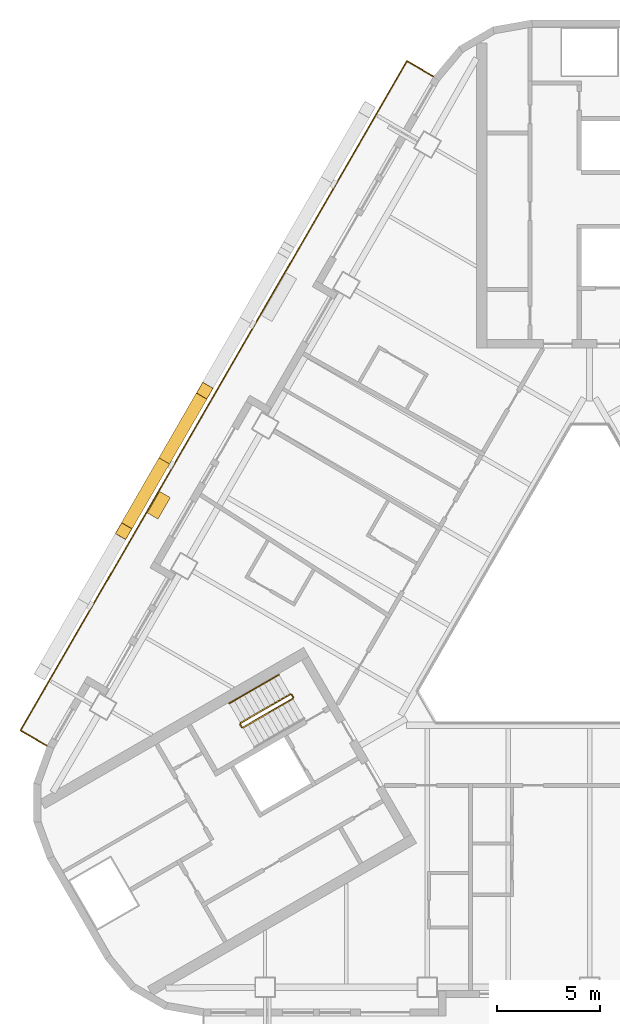
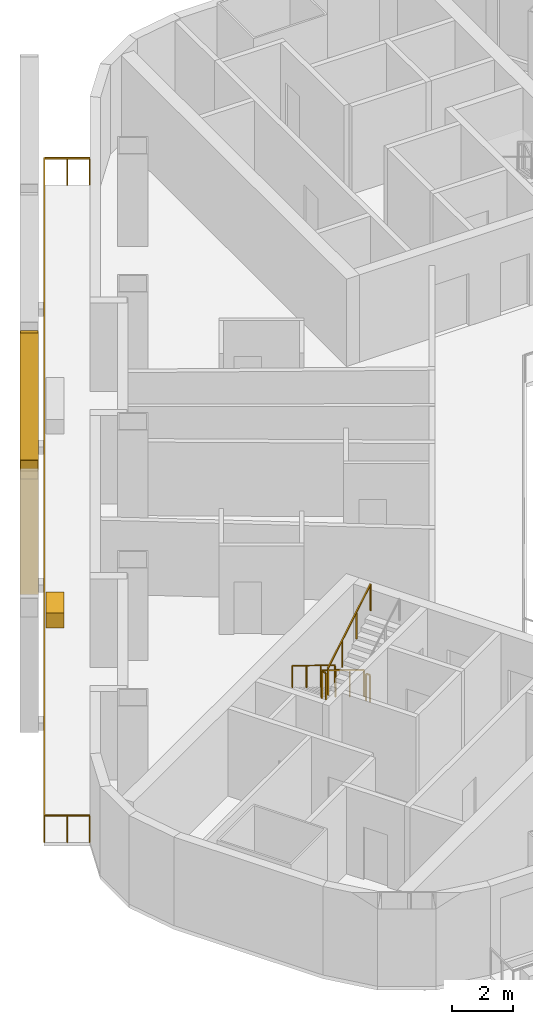
# One storey, part 10 of 14: 6 railings, 2 shading devices, 1 covering.
"""IFC4 building model written with IfcOpenShell, lengths in metres."""

from ifc_helpers import new_model, si_unit, direction, frame, origin, origin_2d, place, context, subcontext, project, spatial, rectangle, hollow_rectangle, circle, extrude, material, material_profile, profile_set, type_object, element, save


model = new_model("IFC4")

# Units and contexts
model_context = context("Model", 3, precision=1e-05, world=origin(), true_north=direction((0.0, 1.0)))
body_context = subcontext(model_context, "Body", "Model", "MODEL_VIEW")
ifc_project = project(units=[si_unit("LENGTHUNIT", "METRE"), si_unit("AREAUNIT", "SQUARE_METRE"), si_unit("VOLUMEUNIT", "CUBIC_METRE"), si_unit("PLANEANGLEUNIT", "RADIAN"), si_unit("MASSUNIT", "GRAM", prefix="KILO")], contexts=[model_context])

# Site, building, storey
site_placement = place(None, origin())
site = spatial("IfcSite", under=ifc_project, at=site_placement, CompositionType="ELEMENT")
building_placement = place(site_placement, origin())
building = spatial("IfcBuilding", under=site, at=building_placement, Name="Apuvela Tower Hotel", CompositionType="ELEMENT")
storey_placement = place(building_placement, frame((0.0, 0.0, 53.89990234375)))
storey = spatial("IfcBuildingStorey", under=building, at=storey_placement, Name="L10", CompositionType="ELEMENT", Elevation=53.89990234375)

# Railings
ifc_material_1 = material(Name="Steel S275 balustrade", Category="steel")
railing_type_1 = type_object("IfcRailingType", Name="COR-GUARD-1100", PredefinedType="GUARDRAIL", material=ifc_material_1)
railing_1_placement = place(storey_placement, frame((-14.569091796875, -3.9658203125, 0.168212890625)))
element("IfcRailing", 1, at=railing_1_placement, inside=storey, type_object=railing_type_1, Name="L10 ST2 stair guard 1", PredefinedType="GUARDRAIL", context=body_context, shape_type="SweptSolid", body=[
    extrude(rectangle(XDim=0.048095703125, YDim=0.048095703125, at=origin_2d()), frame((0.0, 0.0, 1.076171875), z_axis=(-0.742390482028, -0.42860119049, 0.514934356695), x_axis=(0.49998411664, -0.866034573852, 0.0)), (0.0, 0.0, 1.0), 3.26611328125),
    extrude(rectangle(XDim=0.0419921875, YDim=0.0419921875, at=origin_2d()), origin(), (0.0, 0.0, 1.0), 1.052001953125),
    extrude(rectangle(XDim=0.0419921875, YDim=0.0419921875, at=origin_2d()), frame((-0.808349609375, -0.466552734375, 0.560546875)), (0.0, 0.0, 1.0), 1.052001953125),
    extrude(rectangle(XDim=0.0419921875, YDim=0.0419921875, at=origin_2d()), frame((-1.616455078125, -0.933349609375, 1.121337890625)), (0.0, 0.0, 1.0), 1.052001953125),
    extrude(rectangle(XDim=0.0419921875, YDim=0.0419921875, at=origin_2d()), frame((-2.4248046875, -1.39990234375, 1.681884765625)), (0.0, 0.0, 1.0), 1.052001953125),
])
railing_2_placement = place(storey_placement, frame((-17.01220703125, -5.43408203125, 1.85009765625)))
element("IfcRailing", 2, at=railing_2_placement, inside=storey, type_object=railing_type_1, Name="L10 ST2 stair guard 2", PredefinedType="GUARDRAIL", context=body_context, shape_type="SweptSolid", body=[
    extrude(rectangle(XDim=0.048095703125, YDim=0.048095703125, at=origin_2d()), frame((0.0, 0.0, 1.076171875), z_axis=(0.499816412211, -0.866131372301, 0.0), x_axis=(0.866131372301, 0.499816412211, 0.0)), (0.0, 0.0, 1.0), 0.14990234375),
    extrude(rectangle(XDim=0.0419921875, YDim=0.0419921875, at=origin_2d()), origin(), (0.0, 0.0, 1.0), 1.052001953125),
    extrude(rectangle(XDim=0.0419921875, YDim=0.0419921875, at=origin_2d()), frame((0.074951171875, -0.1298828125, 0.0)), (0.0, 0.0, 1.0), 1.052001953125),
])
railing_3_placement = place(storey_placement, frame((-16.868896484375, -5.582275390625, 2.018310546875)))
element("IfcRailing", 3, at=railing_3_placement, inside=storey, type_object=railing_type_1, Name="L10 ST2 stair guard 3", PredefinedType="GUARDRAIL", context=body_context, shape_type="SweptSolid", body=[
    extrude(rectangle(XDim=0.048095703125, YDim=0.048095703125, at=origin_2d()), frame((0.0, 0.0, 1.076171875), z_axis=(0.742390482028, 0.42860119049, 0.514934356695), x_axis=(-0.49998411664, 0.866034573852, 0.0)), (0.0, 0.0, 1.0), 3.26611328125),
    extrude(rectangle(XDim=0.0419921875, YDim=0.0419921875, at=origin_2d()), origin(), (0.0, 0.0, 1.0), 1.052001953125),
    extrude(rectangle(XDim=0.0419921875, YDim=0.0419921875, at=origin_2d()), frame((0.808349609375, 0.466552734375, 0.560546875)), (0.0, 0.0, 1.0), 1.052001953125),
    extrude(rectangle(XDim=0.0419921875, YDim=0.0419921875, at=origin_2d()), frame((1.616455078125, 0.933349609375, 1.121337890625)), (0.0, 0.0, 1.0), 1.052001953125),
    extrude(rectangle(XDim=0.0419921875, YDim=0.0419921875, at=origin_2d()), frame((2.4248046875, 1.39990234375, 1.681884765625)), (0.0, 0.0, 1.0), 1.052001953125),
])
railing_4_placement = place(storey_placement, frame((-14.500732421875, -3.984130859375, 0.0)))
element("IfcRailing", 4, at=railing_4_placement, inside=storey, type_object=railing_type_1, Name="L10 ST2 stair guard 4", PredefinedType="GUARDRAIL", context=body_context, shape_type="SweptSolid", body=[
    extrude(rectangle(XDim=0.048095703125, YDim=0.048095703125, at=origin_2d()), frame((0.0, 0.0, 1.076171875), z_axis=(0.499816412211, -0.866131372301, 0.0), x_axis=(0.866131372301, 0.499816412211, 0.0)), (0.0, 0.0, 1.0), 0.14990234375),
    extrude(rectangle(XDim=0.0419921875, YDim=0.0419921875, at=origin_2d()), origin(), (0.0, 0.0, 1.0), 1.052001953125),
    extrude(rectangle(XDim=0.0419921875, YDim=0.0419921875, at=origin_2d()), frame((0.074951171875, -0.1298828125, 0.0)), (0.0, 0.0, 1.0), 1.052001953125),
])
ifc_material_2 = material(Name="Stainless steel 316 handrail", Category="steel")
railing_type_2 = type_object("IfcRailingType", Name="COR-HANDRAIL-900", PredefinedType="HANDRAIL", material=ifc_material_2)
railing_5_placement = place(storey_placement, frame((-15.118896484375, -3.01318359375, 0.168212890625)))
element("IfcRailing", 5, at=railing_5_placement, inside=storey, type_object=railing_type_2, Name="L10 ST2 stair handrail 1", PredefinedType="HANDRAIL", context=body_context, shape_type="SweptSolid", body=[
    extrude(circle(Radius=0.02392578125, at=origin_2d()), frame((0.0, 0.0, 0.8759765625), z_axis=(-0.742424030051, -0.428577407461, 0.514905783049), x_axis=(0.49994636267, -0.866056369097, 0.0)), (0.0, 0.0, 1.0), 3.266357421875),
    extrude(rectangle(XDim=0.0419921875, YDim=0.0419921875, at=origin_2d()), origin(), (0.0, 0.0, 1.0), 0.851806640625),
    extrude(rectangle(XDim=0.0419921875, YDim=0.0419921875, at=origin_2d()), frame((-0.808349609375, -0.466552734375, 0.560546875)), (0.0, 0.0, 1.0), 0.851806640625),
    extrude(rectangle(XDim=0.0419921875, YDim=0.0419921875, at=origin_2d()), frame((-1.61669921875, -0.933349609375, 1.121337890625)), (0.0, 0.0, 1.0), 0.851806640625),
    extrude(rectangle(XDim=0.0419921875, YDim=0.0419921875, at=origin_2d()), frame((-2.425048828125, -1.39990234375, 1.681884765625)), (0.0, 0.0, 1.0), 0.851806640625),
])

# Shading devices
ifc_material_3 = material(Name="Aluminium 6063-T6, black anodised", Category="aluminium")
ifc_material_profile = material_profile(ifc_material_3, hollow_rectangle(XDim=0.60009765625, YDim=0.699951171875, WallThickness=0.011962890625, at=origin_2d()), Name="AL BOX 700x600x12")
ifc_profile_set = profile_set([ifc_material_profile], Name="Aluminium 6063-T6, black anodised")
shading_device_type = type_object("IfcShadingDeviceType", Name="ENV-FIN-700x600", PredefinedType="USERDEFINED", material=ifc_profile_set)
shading_device_1_placement = place(storey_placement, frame((-20.70703125, 7.394287109375, -0.099853515625), z_axis=(0.235436388043, 0.407800622186, 0.882195193667), x_axis=(-0.866032218625, 0.499988196164, 0.0)))
element("IfcShadingDevice", 6, at=shading_device_1_placement, inside=storey, type_object=shading_device_type, Name="Lattice fin NW109", ObjectType="FIN", PredefinedType="USERDEFINED", context=body_context, shape_type="SweptSolid", body=[
    extrude(hollow_rectangle(XDim=0.60009765625, YDim=0.699951171875, WallThickness=0.011962890625, at=origin_2d()), origin(), (0.0, 0.0, 1.0), 8.387939453125),
])
shading_device_2_placement = place(storey_placement, frame((-20.70703125, 7.394287109375, -0.099853515625), z_axis=(-0.235461085354, -0.407822092458, 0.882178677019), x_axis=(0.866020906874, -0.500007788796, 0.0)))
element("IfcShadingDevice", 7, at=shading_device_2_placement, inside=storey, type_object=shading_device_type, Name="Lattice fin NW110", ObjectType="FIN", PredefinedType="USERDEFINED", context=body_context, shape_type="SweptSolid", body=[
    extrude(hollow_rectangle(XDim=0.60009765625, YDim=0.699951171875, WallThickness=0.011962890625, at=origin_2d()), origin(), (0.0, 0.0, 1.0), 8.38818359375),
])

# Railing
ifc_material_4 = material(Name="Stainless steel 316 rail with laminated glass infill", Category="steel")
railing_type_3 = type_object("IfcRailingType", Name="ENV-GUARD-1100", PredefinedType="GUARDRAIL", material=ifc_material_4)
railing_6_placement = place(storey_placement, frame((-7.59228515625, 26.110107421875, 0.0)))
element("IfcRailing", 8, at=railing_6_placement, inside=storey, type_object=railing_type_3, Name="Balcony guard NW L10", PredefinedType="GUARDRAIL", context=body_context, shape_type="SweptSolid", body=[
    extrude(rectangle(XDim=0.050048828125, YDim=0.050048828125, at=origin_2d()), frame((0.0, 0.0, 1.0751953125), z_axis=(-0.86599040064, 0.500060622324, 0.0), x_axis=(-0.500060622324, -0.86599040064, 0.0)), (0.0, 0.0, 1.0), 1.499755859375),
    extrude(rectangle(XDim=0.050048828125, YDim=0.050048828125, at=origin_2d()), frame((-1.298828125, 0.75, 1.0751953125), z_axis=(-0.500000437506, -0.86602515119, 0.0), x_axis=(0.86602515119, -0.500000437506, 0.0)), (0.0, 0.0, 1.0), 37.6318359375),
    extrude(rectangle(XDim=0.050048828125, YDim=0.050048828125, at=origin_2d()), frame((-20.11474609375, -31.840087890625, 1.0751953125), z_axis=(0.866031096941, -0.499990139034, 0.0), x_axis=(0.499990139034, 0.866031096941, 0.0)), (0.0, 0.0, 1.0), 1.5),
    extrude(rectangle(XDim=0.0400390625, YDim=0.0400390625, at=origin_2d()), origin(), (0.0, 0.0, 1.0), 1.050048828125),
    extrude(rectangle(XDim=0.0400390625, YDim=0.0400390625, at=origin_2d()), frame((-0.6494140625, 0.375, 0.0)), (0.0, 0.0, 1.0), 1.050048828125),
    extrude(rectangle(XDim=0.0400390625, YDim=0.0400390625, at=origin_2d()), frame((-1.298828125, 0.75, 0.0)), (0.0, 0.0, 1.0), 1.050048828125),
    extrude(rectangle(XDim=0.0400390625, YDim=0.0400390625, at=origin_2d()), frame((-1.88671875, -0.2685546875, 0.0)), (0.0, 0.0, 1.0), 1.050048828125),
    extrude(rectangle(XDim=0.0400390625, YDim=0.0400390625, at=origin_2d()), frame((-2.474853515625, -1.286865234375, 0.0)), (0.0, 0.0, 1.0), 1.050048828125),
    extrude(rectangle(XDim=0.0400390625, YDim=0.0400390625, at=origin_2d()), frame((-3.062744140625, -2.305419921875, 0.0)), (0.0, 0.0, 1.0), 1.050048828125),
    extrude(rectangle(XDim=0.0400390625, YDim=0.0400390625, at=origin_2d()), frame((-3.65087890625, -3.32373046875, 0.0)), (0.0, 0.0, 1.0), 1.050048828125),
    extrude(rectangle(XDim=0.0400390625, YDim=0.0400390625, at=origin_2d()), frame((-4.23876953125, -4.34228515625, 0.0)), (0.0, 0.0, 1.0), 1.050048828125),
    extrude(rectangle(XDim=0.0400390625, YDim=0.0400390625, at=origin_2d()), frame((-4.826904296875, -5.360595703125, 0.0)), (0.0, 0.0, 1.0), 1.050048828125),
    extrude(rectangle(XDim=0.0400390625, YDim=0.0400390625, at=origin_2d()), frame((-5.414794921875, -6.379150390625, 0.0)), (0.0, 0.0, 1.0), 1.050048828125),
    extrude(rectangle(XDim=0.0400390625, YDim=0.0400390625, at=origin_2d()), frame((-6.0029296875, -7.3974609375, 0.0)), (0.0, 0.0, 1.0), 1.050048828125),
    extrude(rectangle(XDim=0.0400390625, YDim=0.0400390625, at=origin_2d()), frame((-6.5908203125, -8.416015625, 0.0)), (0.0, 0.0, 1.0), 1.050048828125),
    extrude(rectangle(XDim=0.0400390625, YDim=0.0400390625, at=origin_2d()), frame((-7.1787109375, -9.434326171875, 0.0)), (0.0, 0.0, 1.0), 1.050048828125),
    extrude(rectangle(XDim=0.0400390625, YDim=0.0400390625, at=origin_2d()), frame((-7.766845703125, -10.452880859375, 0.0)), (0.0, 0.0, 1.0), 1.050048828125),
    extrude(rectangle(XDim=0.0400390625, YDim=0.0400390625, at=origin_2d()), frame((-8.354736328125, -11.47119140625, 0.0)), (0.0, 0.0, 1.0), 1.050048828125),
    extrude(rectangle(XDim=0.0400390625, YDim=0.0400390625, at=origin_2d()), frame((-8.94287109375, -12.48974609375, 0.0)), (0.0, 0.0, 1.0), 1.050048828125),
    extrude(rectangle(XDim=0.0400390625, YDim=0.0400390625, at=origin_2d()), frame((-9.53076171875, -13.508056640625, 0.0)), (0.0, 0.0, 1.0), 1.050048828125),
    extrude(rectangle(XDim=0.0400390625, YDim=0.0400390625, at=origin_2d()), frame((-10.118896484375, -14.526611328125, 0.0)), (0.0, 0.0, 1.0), 1.050048828125),
    extrude(rectangle(XDim=0.0400390625, YDim=0.0400390625, at=origin_2d()), frame((-10.706787109375, -15.544921875, 0.0)), (0.0, 0.0, 1.0), 1.050048828125),
    extrude(rectangle(XDim=0.0400390625, YDim=0.0400390625, at=origin_2d()), frame((-11.294677734375, -16.5634765625, 0.0)), (0.0, 0.0, 1.0), 1.050048828125),
    extrude(rectangle(XDim=0.0400390625, YDim=0.0400390625, at=origin_2d()), frame((-11.8828125, -17.58203125, 0.0)), (0.0, 0.0, 1.0), 1.050048828125),
    extrude(rectangle(XDim=0.0400390625, YDim=0.0400390625, at=origin_2d()), frame((-12.470703125, -18.600341796875, 0.0)), (0.0, 0.0, 1.0), 1.050048828125),
    extrude(rectangle(XDim=0.0400390625, YDim=0.0400390625, at=origin_2d()), frame((-13.058837890625, -19.618896484375, 0.0)), (0.0, 0.0, 1.0), 1.050048828125),
    extrude(rectangle(XDim=0.0400390625, YDim=0.0400390625, at=origin_2d()), frame((-13.646728515625, -20.63720703125, 0.0)), (0.0, 0.0, 1.0), 1.050048828125),
    extrude(rectangle(XDim=0.0400390625, YDim=0.0400390625, at=origin_2d()), frame((-14.23486328125, -21.65576171875, 0.0)), (0.0, 0.0, 1.0), 1.050048828125),
    extrude(rectangle(XDim=0.0400390625, YDim=0.0400390625, at=origin_2d()), frame((-14.82275390625, -22.674072265625, 0.0)), (0.0, 0.0, 1.0), 1.050048828125),
    extrude(rectangle(XDim=0.0400390625, YDim=0.0400390625, at=origin_2d()), frame((-15.41064453125, -23.692626953125, 0.0)), (0.0, 0.0, 1.0), 1.050048828125),
    extrude(rectangle(XDim=0.0400390625, YDim=0.0400390625, at=origin_2d()), frame((-15.998779296875, -24.7109375, 0.0)), (0.0, 0.0, 1.0), 1.050048828125),
    extrude(rectangle(XDim=0.0400390625, YDim=0.0400390625, at=origin_2d()), frame((-16.586669921875, -25.7294921875, 0.0)), (0.0, 0.0, 1.0), 1.050048828125),
    extrude(rectangle(XDim=0.0400390625, YDim=0.0400390625, at=origin_2d()), frame((-17.1748046875, -26.747802734375, 0.0)), (0.0, 0.0, 1.0), 1.050048828125),
    extrude(rectangle(XDim=0.0400390625, YDim=0.0400390625, at=origin_2d()), frame((-17.7626953125, -27.766357421875, 0.0)), (0.0, 0.0, 1.0), 1.050048828125),
    extrude(rectangle(XDim=0.0400390625, YDim=0.0400390625, at=origin_2d()), frame((-18.350830078125, -28.78466796875, 0.0)), (0.0, 0.0, 1.0), 1.050048828125),
    extrude(rectangle(XDim=0.0400390625, YDim=0.0400390625, at=origin_2d()), frame((-18.938720703125, -29.80322265625, 0.0)), (0.0, 0.0, 1.0), 1.050048828125),
    extrude(rectangle(XDim=0.0400390625, YDim=0.0400390625, at=origin_2d()), frame((-19.52685546875, -30.821533203125, 0.0)), (0.0, 0.0, 1.0), 1.050048828125),
    extrude(rectangle(XDim=0.0400390625, YDim=0.0400390625, at=origin_2d()), frame((-20.11474609375, -31.840087890625, 0.0)), (0.0, 0.0, 1.0), 1.050048828125),
    extrude(rectangle(XDim=0.0400390625, YDim=0.0400390625, at=origin_2d()), frame((-19.46533203125, -32.215087890625, 0.0)), (0.0, 0.0, 1.0), 1.050048828125),
    extrude(rectangle(XDim=0.0400390625, YDim=0.0400390625, at=origin_2d()), frame((-18.815673828125, -32.590087890625, 0.0)), (0.0, 0.0, 1.0), 1.050048828125),
])

# Covering
ifc_material_5 = material(Name="Planting substrate and soil, planted")
covering_type = type_object("IfcCoveringType", Name="ENV-PLANTER-1200x600", PredefinedType="USERDEFINED", material=ifc_material_5)
covering_placement = place(storey_placement, frame((-20.970947265625, 5.237060546875, 0.0), z_axis=(0.0, 0.0, 1.0), x_axis=(-0.5, -0.866025403784, 0.0)))
element("IfcCovering", 9, at=covering_placement, inside=storey, type_object=covering_type, Name="Planter NW6", ObjectType="PLANTER", PredefinedType="USERDEFINED", context=body_context, shape_type="SweptSolid", body=[
    extrude(rectangle(XDim=1.199951171875, YDim=0.60009765625, at=origin_2d()), origin(), (0.0, 0.0, 1.0), 0.60009765625),
])

save(model, "model.ifc")
